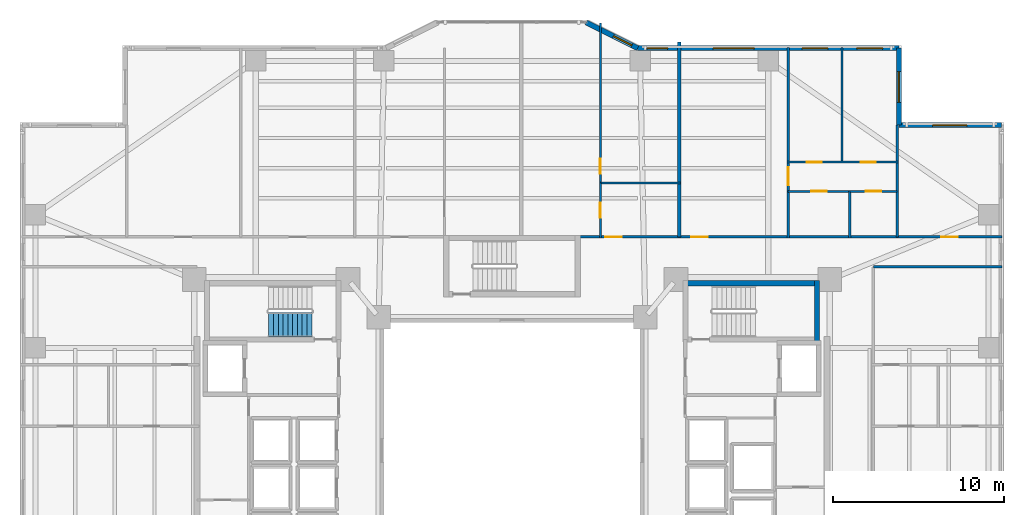
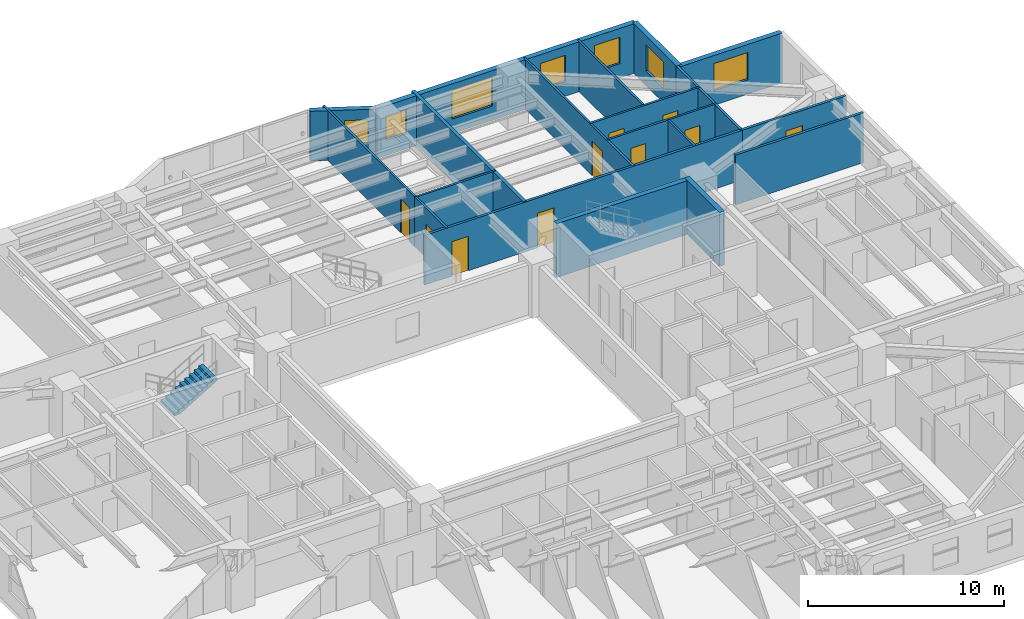
# One storey, part 15 of 21: 20 walls, 10 doors, 7 windows, 1 stair flight, 17 openings, 1 element without a shape of its own.
"""IFC4 building model written with IfcOpenShell, lengths in metres."""

from ifc_helpers import new_model, si_unit, direction, frame, frame_2d, origin, place, context, subcontext, project, spatial, polyline, rectangle, outline, extrude, material, layer, layer_set, type_object, element, fill, aggregate, save


model = new_model("IFC4")

# Units and contexts
model_context = context("Model", 3, precision=1e-05, world=origin(), true_north=direction((0.0, 1.0)))
body_context = subcontext(model_context, "Body", "Model", "MODEL_VIEW")
ifc_project = project(units=[si_unit("LENGTHUNIT", "METRE"), si_unit("AREAUNIT", "SQUARE_METRE"), si_unit("VOLUMEUNIT", "CUBIC_METRE"), si_unit("PLANEANGLEUNIT", "RADIAN"), si_unit("MASSUNIT", "GRAM", prefix="KILO")], contexts=[model_context])

# Site, building, storey
site_placement = place(None, origin())
site = spatial("IfcSite", under=ifc_project, at=site_placement, CompositionType="ELEMENT")
building_placement = place(site_placement, origin())
building = spatial("IfcBuilding", under=site, at=building_placement, Name="Tarnavaz Court Tower", CompositionType="ELEMENT")
storey_placement = place(building_placement, frame((0.0, 0.0, 44.10009765625)))
storey = spatial("IfcBuildingStorey", under=building, at=storey_placement, Name="L11", CompositionType="ELEMENT", Elevation=44.10009765625)

# Walls
ifc_material_1 = material(Name="Concrete C60/75", Category="concrete")
ifc_layer_1 = layer(ifc_material_1, 0.300048828125)
ifc_layer_set_1 = layer_set([ifc_layer_1], Name="Concrete C60/75")
wall_type_1 = type_object("IfcWallType", Name="WL-CORE-300-C60", PredefinedType="SHEAR", material=ifc_layer_set_1)
wall_1_placement = place(storey_placement, frame((10.0, 9.7900390625, 0.0), z_axis=(0.0, 0.0, 1.0), x_axis=(1.0, 0.0, 0.0)))
element("IfcWall", 1, at=wall_1_placement, inside=storey, type_object=wall_type_1, Name="L11 East Stair Core Wall 005", PredefinedType="SHEAR", context=body_context, shape_type="SweptSolid", body=[
    extrude(rectangle(XDim=8.0, YDim=0.300048828125, at=frame_2d((4.0, 0.0))), origin(), (0.0, 0.0, 1.0), 3.349853515625),
])
wall_2_placement = place(storey_placement, frame((17.85009765625, 6.35009765625, 0.0), z_axis=(0.0, 0.0, 1.0), x_axis=(0.0, 1.0, 0.0)))
element("IfcWall", 2, at=wall_2_placement, inside=storey, type_object=wall_type_1, Name="L11 East Stair Core Wall 008", PredefinedType="SHEAR", context=body_context, shape_type="SweptSolid", body=[
    extrude(rectangle(XDim=3.58984375, YDim=0.300048828125, at=frame_2d((1.794921875, 0.0))), origin(), (0.0, 0.0, 1.0), 3.349853515625),
])

# Wall, opening, window
ifc_material_2 = material(Name="Precast Concrete C40/50", Category="concrete")
ifc_layer_2 = layer(ifc_material_2, 0.300048828125)
ifc_layer_set_2 = layer_set([ifc_layer_2], Name="Precast Concrete C40/50")
wall_type_2 = type_object("IfcWallType", Name="WL-EXT-300", PredefinedType="SOLIDWALL", material=ifc_layer_set_2)
wall_3_placement = place(storey_placement, frame((4.35009765625, 25.050048828125, 0.0), z_axis=(0.0, 0.0, 1.0), x_axis=(0.894427191, -0.4472135955, 0.0)))
wall_3 = element("IfcWall", 3, at=wall_3_placement, inside=storey, type_object=wall_type_2, Name="L11 Exterior Terracotta Facade Wall 08", PredefinedType="SOLIDWALL", context=body_context, shape_type="SweptSolid", body=[
    extrude(rectangle(XDim=3.35400390625, YDim=0.300048828125, at=frame_2d((1.677001953125, 0.0))), origin(), (0.0, 0.0, 1.0), 3.099853515625),
])
opening_1_placement = place(wall_3_placement, frame((1.778076171875, 0.0, 0.949951171875)))
opening_1 = element("IfcOpeningElement", 4, at=opening_1_placement, cuts=wall_3, Name="Opening W05", PredefinedType="OPENING", context=body_context, shape_type="SweptSolid", body=[
    extrude(rectangle(XDim=1.199951171875, YDim=1.5, at=frame_2d((0.60009765625, 0.75))), frame((0.0, 0.159912109375, 0.0), z_axis=(0.0, -1.0, 0.0), x_axis=(1.0, 0.0, 0.0)), (0.0, 0.0, 1.0), 0.320068359375),
])
ifc_material_3 = material(Name="Double-Glazed Solar Low-E Glass", Category="glass")
window_type_1 = type_object("IfcWindowType", Name="WN-APT-1200", PartitioningType="SINGLE_PANEL", PredefinedType="WINDOW", material=ifc_material_3)
window_1_placement = place(opening_1_placement, origin())
window_1 = element("IfcWindow", 5, at=window_1_placement, inside=storey, type_object=window_type_1, Name="L11 Flat 01 Kitchen Window", OverallHeight=1.5, OverallWidth=1.199951171875, PartitioningType="SINGLE_PANEL", PredefinedType="WINDOW", context=body_context, shape_type="SweptSolid", body=[
    extrude(rectangle(XDim=1.199951171875, YDim=1.5, at=frame_2d((0.60009765625, 0.75))), frame((0.0, 0.030029296875, 0.0), z_axis=(0.0, -1.0, 0.0), x_axis=(1.0, 0.0, 0.0)), (0.0, 0.0, 1.0), 0.06005859375),
])
fill(opening_1, window_1)

# Wall, openings, windows
wall_4_placement = place(storey_placement, frame((7.35009765625, 23.550048828125, 0.0), z_axis=(0.0, 0.0, 1.0), x_axis=(1.0, 0.0, 0.0)))
wall_4 = element("IfcWall", 6, at=wall_4_placement, inside=storey, type_object=wall_type_2, Name="L11 Exterior Terracotta Facade Wall 09", PredefinedType="SOLIDWALL", context=body_context, shape_type="SweptSolid", body=[
    extrude(rectangle(XDim=15.2998046875, YDim=0.300048828125, at=frame_2d((7.64990234375, 0.0))), origin(), (0.0, 0.0, 1.0), 3.099853515625),
])
opening_2_placement = place(wall_4_placement, frame((0.5537109375, 0.0, 0.949951171875)))
opening_2 = element("IfcOpeningElement", 7, at=opening_2_placement, cuts=wall_4, Name="Opening W05", PredefinedType="OPENING", context=body_context, shape_type="SweptSolid", body=[
    extrude(rectangle(XDim=1.199951171875, YDim=1.5, at=frame_2d((0.60009765625, 0.75))), frame((0.0, 0.159912109375, 0.0), z_axis=(0.0, -1.0, 0.0), x_axis=(1.0, 0.0, 0.0)), (0.0, 0.0, 1.0), 0.320068359375),
])
opening_3_placement = place(wall_4_placement, frame((4.41845703125, 0.0, 0.89990234375)))
opening_3 = element("IfcOpeningElement", 8, at=opening_3_placement, cuts=wall_4, Name="Opening W06", PredefinedType="OPENING", context=body_context, shape_type="SweptSolid", body=[
    extrude(rectangle(XDim=2.39990234375, YDim=1.800048828125, at=frame_2d((1.199951171875, 0.89990234375))), frame((0.0, 0.159912109375, 0.0), z_axis=(0.0, -1.0, 0.0), x_axis=(1.0, 0.0, 0.0)), (0.0, 0.0, 1.0), 0.320068359375),
])
opening_4_placement = place(wall_4_placement, frame((9.6337890625, 0.0, 0.89990234375)))
opening_4 = element("IfcOpeningElement", 9, at=opening_4_placement, cuts=wall_4, Name="Opening W03", PredefinedType="OPENING", context=body_context, shape_type="SweptSolid", body=[
    extrude(rectangle(XDim=1.5, YDim=1.64990234375, at=frame_2d((0.75, 0.824951171875))), frame((0.0, 0.159912109375, 0.0), z_axis=(0.0, -1.0, 0.0), x_axis=(1.0, 0.0, 0.0)), (0.0, 0.0, 1.0), 0.320068359375),
])
opening_5_placement = place(wall_4_placement, frame((12.844482421875, 0.0, 0.89990234375)))
opening_5 = element("IfcOpeningElement", 10, at=opening_5_placement, cuts=wall_4, Name="Opening W03", PredefinedType="OPENING", context=body_context, shape_type="SweptSolid", body=[
    extrude(rectangle(XDim=1.5, YDim=1.64990234375, at=frame_2d((0.75, 0.824951171875))), frame((0.0, 0.159912109375, 0.0), z_axis=(0.0, -1.0, 0.0), x_axis=(1.0, 0.0, 0.0)), (0.0, 0.0, 1.0), 0.320068359375),
])
window_2_placement = place(opening_2_placement, origin())
window_2 = element("IfcWindow", 11, at=window_2_placement, inside=storey, type_object=window_type_1, Name="L11 Flat 01 Kitchen Window", OverallHeight=1.5, OverallWidth=1.199951171875, PartitioningType="SINGLE_PANEL", PredefinedType="WINDOW", context=body_context, shape_type="SweptSolid", body=[
    extrude(rectangle(XDim=1.199951171875, YDim=1.5, at=frame_2d((0.60009765625, 0.75))), frame((0.0, 0.030029296875, 0.0), z_axis=(0.0, -1.0, 0.0), x_axis=(1.0, 0.0, 0.0)), (0.0, 0.0, 1.0), 0.06005859375),
])
fill(opening_2, window_2)
window_type_2 = type_object("IfcWindowType", Name="WN-APT-1500", PartitioningType="DOUBLE_PANEL_VERTICAL", PredefinedType="WINDOW", material=ifc_material_3)
window_3_placement = place(opening_4_placement, origin())
window_3 = element("IfcWindow", 12, at=window_3_placement, inside=storey, type_object=window_type_2, Name="L11 Flat 02 Principal Bedroom Window", OverallHeight=1.64990234375, OverallWidth=1.5, PartitioningType="SINGLE_PANEL", PredefinedType="WINDOW", context=body_context, shape_type="SweptSolid", body=[
    extrude(rectangle(XDim=1.5, YDim=1.64990234375, at=frame_2d((0.75, 0.824951171875))), frame((0.0, 0.030029296875, 0.0), z_axis=(0.0, -1.0, 0.0), x_axis=(1.0, 0.0, 0.0)), (0.0, 0.0, 1.0), 0.06005859375),
])
fill(opening_4, window_3)
window_4_placement = place(opening_5_placement, origin())
window_4 = element("IfcWindow", 13, at=window_4_placement, inside=storey, type_object=window_type_2, Name="L11 Flat 02 Bedroom 2 Window", OverallHeight=1.64990234375, OverallWidth=1.5, PartitioningType="SINGLE_PANEL", PredefinedType="WINDOW", context=body_context, shape_type="SweptSolid", body=[
    extrude(rectangle(XDim=1.5, YDim=1.64990234375, at=frame_2d((0.75, 0.824951171875))), frame((0.0, 0.030029296875, 0.0), z_axis=(0.0, -1.0, 0.0), x_axis=(1.0, 0.0, 0.0)), (0.0, 0.0, 1.0), 0.06005859375),
])
fill(opening_5, window_4)
window_type_3 = type_object("IfcWindowType", Name="WN-APT-2400", PartitioningType="TRIPLE_PANEL_VERTICAL", PredefinedType="WINDOW", material=ifc_material_3)
window_5_placement = place(opening_3_placement, origin())
window_5 = element("IfcWindow", 14, at=window_5_placement, inside=storey, type_object=window_type_3, Name="L11 Flat 02 Living and Dining Room Window", OverallHeight=1.800048828125, OverallWidth=2.39990234375, PartitioningType="SINGLE_PANEL", PredefinedType="WINDOW", context=body_context, shape_type="SweptSolid", body=[
    extrude(rectangle(XDim=2.39990234375, YDim=1.800048828125, at=frame_2d((1.199951171875, 0.89990234375))), frame((0.0, 0.030029296875, 0.0), z_axis=(0.0, -1.0, 0.0), x_axis=(1.0, 0.0, 0.0)), (0.0, 0.0, 1.0), 0.06005859375),
])
fill(opening_3, window_5)

# Wall, opening, window
wall_5_placement = place(storey_placement, frame((22.64990234375, 23.550048828125, 0.0), z_axis=(0.0, 0.0, 1.0), x_axis=(0.0, -1.0, 0.0)))
wall_5 = element("IfcWall", 15, at=wall_5_placement, inside=storey, type_object=wall_type_2, Name="L11 Exterior Terracotta Facade Wall 10", PredefinedType="SOLIDWALL", context=body_context, shape_type="SweptSolid", body=[
    extrude(rectangle(XDim=4.5, YDim=0.300048828125, at=frame_2d((2.25, 0.0))), origin(), (0.0, 0.0, 1.0), 3.099853515625),
])
opening_6_placement = place(wall_5_placement, frame((1.367431640625, 0.0, 0.89990234375)))
opening_6 = element("IfcOpeningElement", 16, at=opening_6_placement, cuts=wall_5, Name="Opening W01", PredefinedType="OPENING", context=body_context, shape_type="SweptSolid", body=[
    extrude(rectangle(XDim=1.800048828125, YDim=1.64990234375, at=frame_2d((0.89990234375, 0.824951171875))), frame((0.0, 0.159912109375, 0.0), z_axis=(0.0, -1.0, 0.0), x_axis=(1.0, 0.0, 0.0)), (0.0, 0.0, 1.0), 0.320068359375),
])
window_type_4 = type_object("IfcWindowType", Name="WN-APT-1800", PartitioningType="DOUBLE_PANEL_VERTICAL", PredefinedType="WINDOW", material=ifc_material_3)
window_6_placement = place(opening_6_placement, origin())
window_6 = element("IfcWindow", 17, at=window_6_placement, inside=storey, type_object=window_type_4, Name="L11 Flat 02 Bedroom 2 Window", OverallHeight=1.64990234375, OverallWidth=1.800048828125, PartitioningType="SINGLE_PANEL", PredefinedType="WINDOW", context=body_context, shape_type="SweptSolid", body=[
    extrude(rectangle(XDim=1.800048828125, YDim=1.64990234375, at=frame_2d((0.89990234375, 0.824951171875))), frame((0.0, 0.030029296875, 0.0), z_axis=(0.0, -1.0, 0.0), x_axis=(1.0, 0.0, 0.0)), (0.0, 0.0, 1.0), 0.06005859375),
])
fill(opening_6, window_6)

wall_6_placement = place(storey_placement, frame((22.64990234375, 19.050048828125, 0.0), z_axis=(0.0, 0.0, 1.0), x_axis=(1.0, 0.0, 0.0)))
wall_6 = element("IfcWall", 18, at=wall_6_placement, inside=storey, type_object=wall_type_2, Name="L11 Exterior Terracotta Facade Wall 11", PredefinedType="SOLIDWALL", context=body_context, shape_type="SweptSolid", body=[
    extrude(rectangle(XDim=6.0, YDim=0.300048828125, at=frame_2d((3.0, 0.0))), origin(), (0.0, 0.0, 1.0), 3.099853515625),
])
opening_7_placement = place(wall_6_placement, frame((1.97509765625, 0.0, 0.89990234375)))
opening_7 = element("IfcOpeningElement", 19, at=opening_7_placement, cuts=wall_6, Name="Opening W08", PredefinedType="OPENING", context=body_context, shape_type="SweptSolid", body=[
    extrude(rectangle(XDim=2.0, YDim=1.699951171875, at=frame_2d((1.0, 0.85009765625))), frame((0.0, 0.159912109375, 0.0), z_axis=(0.0, -1.0, 0.0), x_axis=(1.0, 0.0, 0.0)), (0.0, 0.0, 1.0), 0.320068359375),
])
window_type_5 = type_object("IfcWindowType", Name="WN-APT-2000", PartitioningType="DOUBLE_PANEL_VERTICAL", PredefinedType="WINDOW", material=ifc_material_3)
window_7_placement = place(opening_7_placement, origin())
window_7 = element("IfcWindow", 20, at=window_7_placement, inside=storey, type_object=window_type_5, Name="L11 North-East Corner Sunroom Study Window", OverallHeight=1.699951171875, OverallWidth=2.0, PartitioningType="SINGLE_PANEL", PredefinedType="WINDOW", context=body_context, shape_type="SweptSolid", body=[
    extrude(rectangle(XDim=2.0, YDim=1.699951171875, at=frame_2d((1.0, 0.85009765625))), frame((0.0, 0.030029296875, 0.0), z_axis=(0.0, -1.0, 0.0), x_axis=(1.0, 0.0, 0.0)), (0.0, 0.0, 1.0), 0.06005859375),
])
fill(opening_7, window_7)

# Wall, openings, doors
ifc_material_4 = material(Name="Gypsum Fire-Board on Acoustic Metal Stud", Category="masonry")
ifc_layer_3 = layer(ifc_material_4, 0.14990234375)
ifc_layer_set_3 = layer_set([ifc_layer_3], Name="Gypsum Fire-Board on Acoustic Metal Stud")
wall_type_3 = type_object("IfcWallType", Name="WL-FIRE-150", PredefinedType="PARTITIONING", material=ifc_layer_set_3)
wall_7_placement = place(storey_placement, frame((3.85009765625, 12.5, 0.0), z_axis=(0.0, 0.0, 1.0), x_axis=(1.0, 0.0, 0.0)))
wall_7 = element("IfcWall", 21, at=wall_7_placement, inside=storey, type_object=wall_type_3, Name="L11 NE Wing Corridor Wall 082", PredefinedType="PARTITIONING", context=body_context, shape_type="SweptSolid", body=[
    extrude(rectangle(XDim=18.699951171875, YDim=0.14990234375, at=frame_2d((9.35009765625, 0.0))), origin(), (0.0, 0.0, 1.0), 3.099853515625),
])
opening_8_placement = place(wall_7_placement, frame((1.60009765625, 0.0, 0.0)))
opening_8 = element("IfcOpeningElement", 22, at=opening_8_placement, cuts=wall_7, Name="Opening D06", PredefinedType="OPENING", context=body_context, shape_type="SweptSolid", body=[
    extrude(rectangle(XDim=0.9599609375, YDim=2.14990234375, at=frame_2d((0.47998046875, 1.074951171875))), frame((0.0, 0.0849609375, 0.0), z_axis=(0.0, -1.0, 0.0), x_axis=(1.0, 0.0, 0.0)), (0.0, 0.0, 1.0), 0.169921875),
])
opening_9_placement = place(wall_7_placement, frame((6.639892578125, 0.0, 0.0)))
opening_9 = element("IfcOpeningElement", 23, at=opening_9_placement, cuts=wall_7, Name="Opening D06", PredefinedType="OPENING", context=body_context, shape_type="SweptSolid", body=[
    extrude(rectangle(XDim=0.9599609375, YDim=2.14990234375, at=frame_2d((0.47998046875, 1.074951171875))), frame((0.0, 0.0849609375, 0.0), z_axis=(0.0, -1.0, 0.0), x_axis=(1.0, 0.0, 0.0)), (0.0, 0.0, 1.0), 0.169921875),
])
ifc_material_5 = material(Name="Fire-Rated Hardwood Timber Core", Category="wood")
door_type_1 = type_object("IfcDoorType", Name="DR-FD60-950", OperationType="NOTDEFINED", PredefinedType="DOOR", material=ifc_material_5)
door_1_placement = place(opening_8_placement, origin())
door_1 = element("IfcDoor", 24, at=door_1_placement, inside=storey, type_object=door_type_1, Name="L11 Flat 01 Entrance Door", OperationType="SINGLE_SWING_LEFT", OverallHeight=2.14990234375, OverallWidth=0.9599609375, PredefinedType="DOOR", context=body_context, shape_type="SweptSolid", body=[
    extrude(rectangle(XDim=0.9599609375, YDim=2.14990234375, at=frame_2d((0.47998046875, 1.074951171875))), frame((0.0, 0.02490234375, 0.0), z_axis=(0.0, -1.0, 0.0), x_axis=(1.0, 0.0, 0.0)), (0.0, 0.0, 1.0), 0.050048828125),
])
fill(opening_8, door_1)
door_2_placement = place(opening_9_placement, origin())
door_2 = element("IfcDoor", 25, at=door_2_placement, inside=storey, type_object=door_type_1, Name="L11 Flat 02 Entrance Door", OperationType="SINGLE_SWING_RIGHT", OverallHeight=2.14990234375, OverallWidth=0.9599609375, PredefinedType="DOOR", context=body_context, shape_type="SweptSolid", body=[
    extrude(rectangle(XDim=0.9599609375, YDim=2.14990234375, at=frame_2d((0.47998046875, 1.074951171875))), frame((0.0, 0.02490234375, 0.0), z_axis=(0.0, -1.0, 0.0), x_axis=(1.0, 0.0, 0.0)), (0.0, 0.0, 1.0), 0.050048828125),
])
fill(opening_9, door_2)

# Wall
wall_8_placement = place(storey_placement, frame((21.14990234375, 10.75, 0.0), z_axis=(0.0, 0.0, 1.0), x_axis=(1.0, 0.0, 0.0)))
element("IfcWall", 26, at=wall_8_placement, inside=storey, type_object=wall_type_3, Name="L11 Interior Partition 131", PredefinedType="PARTITIONING", context=body_context, shape_type="SweptSolid", body=[
    extrude(rectangle(XDim=7.530029296875, YDim=0.14990234375, at=frame_2d((3.76513671875, 0.0))), origin(), (0.0, 0.0, 1.0), 3.099853515625),
])

# Wall, opening, door
wall_9_placement = place(storey_placement, frame((22.550048828125, 12.5, 0.0), z_axis=(0.0, 0.0, 1.0), x_axis=(1.0, 0.0, 0.0)))
wall_9 = element("IfcWall", 27, at=wall_9_placement, inside=storey, type_object=wall_type_3, Name="L11 Interior Partition 137", PredefinedType="PARTITIONING", context=body_context, shape_type="SweptSolid", body=[
    extrude(rectangle(XDim=6.1298828125, YDim=0.14990234375, at=frame_2d((3.06494140625, 0.0))), origin(), (0.0, 0.0, 1.0), 3.099853515625),
])
opening_10_placement = place(wall_9_placement, frame((2.590087890625, 0.0, 0.0)))
opening_10 = element("IfcOpeningElement", 28, at=opening_10_placement, cuts=wall_9, Name="Opening D13", PredefinedType="OPENING", context=body_context, shape_type="SweptSolid", body=[
    extrude(rectangle(XDim=0.949951171875, YDim=2.14990234375, at=frame_2d((0.47509765625, 1.074951171875))), frame((0.0, 0.0849609375, 0.0), z_axis=(0.0, -1.0, 0.0), x_axis=(1.0, 0.0, 0.0)), (0.0, 0.0, 1.0), 0.169921875),
])
ifc_material_6 = material(Name="Engineered Oak Timber", Category="wood")
door_type_2 = type_object("IfcDoorType", Name="DR-INT-950", OperationType="NOTDEFINED", PredefinedType="DOOR", material=ifc_material_6)
door_3_placement = place(opening_10_placement, origin())
door_3 = element("IfcDoor", 29, at=door_3_placement, inside=storey, type_object=door_type_2, Name="L11 NE Sunroom Door", OperationType="SINGLE_SWING_LEFT", OverallHeight=2.14990234375, OverallWidth=0.949951171875, PredefinedType="DOOR", context=body_context, shape_type="SweptSolid", body=[
    extrude(rectangle(XDim=0.949951171875, YDim=2.14990234375, at=frame_2d((0.47509765625, 1.074951171875))), frame((0.0, 0.02490234375, 0.0), z_axis=(0.0, -1.0, 0.0), x_axis=(1.0, 0.0, 0.0)), (0.0, 0.0, 1.0), 0.050048828125),
])
fill(opening_10, door_3)

# Wall
ifc_material_7 = material(Name="Autoclaved Aerated Concrete Blockwork", Category="masonry")
ifc_layer_4 = layer(ifc_material_7, 0.199951171875)
ifc_layer_set_4 = layer_set([ifc_layer_4], Name="Autoclaved Aerated Concrete Blockwork")
wall_type_4 = type_object("IfcWallType", Name="WL-FIRE-200", PredefinedType="SOLIDWALL", material=ifc_layer_set_4)
wall_10_placement = place(storey_placement, frame((9.7900390625, 12.5, 0.0), z_axis=(0.0, 0.0, 1.0), x_axis=(0.0, 1.0, 0.0)))
element("IfcWall", 30, at=wall_10_placement, inside=storey, type_object=wall_type_4, Name="L11 Party Wall 091", PredefinedType="SOLIDWALL", context=body_context, shape_type="SweptSolid", body=[
    extrude(rectangle(XDim=11.39794921875, YDim=0.199951171875, at=frame_2d((5.698974609375, 0.0))), origin(), (0.0, 0.0, 1.0), 3.099853515625),
])

# Wall, opening, door
ifc_material_8 = material(Name="Moisture-Resistant Gypsum Board Partition", Category="masonry")
ifc_layer_5 = layer(ifc_material_8, 0.1201171875)
ifc_layer_set_5 = layer_set([ifc_layer_5], Name="Moisture-Resistant Gypsum Board Partition")
wall_type_5 = type_object("IfcWallType", Name="WL-PART-120", PredefinedType="PARTITIONING", material=ifc_layer_set_5)
wall_11_placement = place(storey_placement, frame((5.169921875, 12.43994140625, 0.0), z_axis=(0.0, 0.0, 1.0), x_axis=(0.0, 1.0, 0.0)))
wall_11 = element("IfcWall", 31, at=wall_11_placement, inside=storey, type_object=wall_type_5, Name="L11 Interior Partition 092", PredefinedType="PARTITIONING", context=body_context, shape_type="SweptSolid", body=[
    extrude(rectangle(XDim=3.2099609375, YDim=0.1201171875, at=frame_2d((1.60498046875, 0.0))), origin(), (0.0, 0.0, 1.0), 3.099853515625),
])
opening_11_placement = place(wall_11_placement, frame((1.195068359375, 0.0, 0.0)))
opening_11 = element("IfcOpeningElement", 32, at=opening_11_placement, cuts=wall_11, Name="Opening D14", PredefinedType="OPENING", context=body_context, shape_type="SweptSolid", body=[
    extrude(rectangle(XDim=0.8798828125, YDim=2.10009765625, at=frame_2d((0.43994140625, 1.050048828125))), frame((0.0, 0.070068359375, 0.0), z_axis=(0.0, -1.0, 0.0), x_axis=(1.0, 0.0, 0.0)), (0.0, 0.0, 1.0), 0.14013671875),
])
door_type_3 = type_object("IfcDoorType", Name="DR-INT-900", OperationType="NOTDEFINED", PredefinedType="DOOR", material=ifc_material_6)
door_4_placement = place(opening_11_placement, origin())
door_4 = element("IfcDoor", 33, at=door_4_placement, inside=storey, type_object=door_type_3, Name="L11 Flat 01 Bathroom Door", OperationType="SINGLE_SWING_RIGHT", OverallHeight=2.10009765625, OverallWidth=0.8798828125, PredefinedType="DOOR", context=body_context, shape_type="SweptSolid", body=[
    extrude(rectangle(XDim=0.8798828125, YDim=2.10009765625, at=frame_2d((0.43994140625, 1.050048828125))), frame((0.0, 0.02490234375, 0.0), z_axis=(0.0, -1.0, 0.0), x_axis=(1.0, 0.0, 0.0)), (0.0, 0.0, 1.0), 0.050048828125),
])
fill(opening_11, door_4)

wall_12_placement = place(storey_placement, frame((5.169921875, 15.64990234375, 0.0), z_axis=(0.0, 0.0, 1.0), x_axis=(0.0, 1.0, 0.0)))
wall_12 = element("IfcWall", 34, at=wall_12_placement, inside=storey, type_object=wall_type_5, Name="L11 Interior Partition 093", PredefinedType="PARTITIONING", context=body_context, shape_type="SweptSolid", body=[
    extrude(rectangle(XDim=9.38818359375, YDim=0.1201171875, at=frame_2d((4.694091796875, 0.0))), origin(), (0.0, 0.0, 1.0), 3.099853515625),
])
opening_12_placement = place(wall_12_placement, frame((0.550048828125, 0.0, 0.0)))
opening_12 = element("IfcOpeningElement", 35, at=opening_12_placement, cuts=wall_12, Name="Opening D14", PredefinedType="OPENING", context=body_context, shape_type="SweptSolid", body=[
    extrude(rectangle(XDim=0.8798828125, YDim=2.10009765625, at=frame_2d((0.43994140625, 1.050048828125))), frame((0.0, 0.070068359375, 0.0), z_axis=(0.0, -1.0, 0.0), x_axis=(1.0, 0.0, 0.0)), (0.0, 0.0, 1.0), 0.14013671875),
])
door_5_placement = place(opening_12_placement, origin())
door_5 = element("IfcDoor", 36, at=door_5_placement, inside=storey, type_object=door_type_3, Name="L11 Flat 01 Kitchen Door", OperationType="SINGLE_SWING_LEFT", OverallHeight=2.10009765625, OverallWidth=0.8798828125, PredefinedType="DOOR", context=body_context, shape_type="SweptSolid", body=[
    extrude(rectangle(XDim=0.8798828125, YDim=2.10009765625, at=frame_2d((0.43994140625, 1.050048828125))), frame((0.0, 0.02490234375, 0.0), z_axis=(0.0, -1.0, 0.0), x_axis=(1.0, 0.0, 0.0)), (0.0, 0.0, 1.0), 0.050048828125),
])
fill(opening_12, door_5)

# Wall
wall_13_placement = place(storey_placement, frame((5.110107421875, 15.64990234375, 0.0), z_axis=(0.0, 0.0, 1.0), x_axis=(1.0, 0.0, 0.0)))
element("IfcWall", 37, at=wall_13_placement, inside=storey, type_object=wall_type_5, Name="L11 Interior Partition 094", PredefinedType="PARTITIONING", context=body_context, shape_type="SweptSolid", body=[
    extrude(rectangle(XDim=4.739990234375, YDim=0.1201171875, at=frame_2d((2.3701171875, 0.0))), origin(), (0.0, 0.0, 1.0), 3.099853515625),
])

# Wall, opening, door
wall_14_placement = place(storey_placement, frame((16.169921875, 12.43994140625, 0.0), z_axis=(0.0, 0.0, 1.0), x_axis=(0.0, 1.0, 0.0)))
wall_14 = element("IfcWall", 38, at=wall_14_placement, inside=storey, type_object=wall_type_5, Name="L11 Interior Partition 095", PredefinedType="PARTITIONING", context=body_context, shape_type="SweptSolid", body=[
    extrude(rectangle(XDim=11.16015625, YDim=0.1201171875, at=frame_2d((5.580078125, 0.0))), origin(), (0.0, 0.0, 1.0), 3.099853515625),
])
opening_13_placement = place(wall_14_placement, frame((3.074951171875, 0.0, 0.0)))
opening_13 = element("IfcOpeningElement", 39, at=opening_13_placement, cuts=wall_14, Name="Opening D12", PredefinedType="OPENING", context=body_context, shape_type="SweptSolid", body=[
    extrude(rectangle(XDim=1.080078125, YDim=2.14990234375, at=frame_2d((0.5400390625, 1.074951171875))), frame((0.0, 0.070068359375, 0.0), z_axis=(0.0, -1.0, 0.0), x_axis=(1.0, 0.0, 0.0)), (0.0, 0.0, 1.0), 0.14013671875),
])
door_type_4 = type_object("IfcDoorType", Name="DR-INT-1100", OperationType="NOTDEFINED", PredefinedType="DOOR", material=ifc_material_6)
door_6_placement = place(opening_13_placement, origin())
door_6 = element("IfcDoor", 40, at=door_6_placement, inside=storey, type_object=door_type_4, Name="L11 Flat 02 Foyer Door", OperationType="SINGLE_SWING_LEFT", OverallHeight=2.14990234375, OverallWidth=1.080078125, PredefinedType="DOOR", context=body_context, shape_type="SweptSolid", body=[
    extrude(rectangle(XDim=1.080078125, YDim=2.14990234375, at=frame_2d((0.5400390625, 1.074951171875))), frame((0.0, 0.02490234375, 0.0), z_axis=(0.0, -1.0, 0.0), x_axis=(1.0, 0.0, 0.0)), (0.0, 0.0, 1.0), 0.050048828125),
])
fill(opening_13, door_6)

wall_15_placement = place(storey_placement, frame((16.169921875, 15.169921875, 0.0), z_axis=(0.0, 0.0, 1.0), x_axis=(1.0, 0.0, 0.0)))
wall_15 = element("IfcWall", 41, at=wall_15_placement, inside=storey, type_object=wall_type_5, Name="L11 Interior Partition 096", PredefinedType="PARTITIONING", context=body_context, shape_type="SweptSolid", body=[
    extrude(rectangle(XDim=3.60205078125, YDim=0.1201171875, at=frame_2d((1.801025390625, 0.0))), origin(), (0.0, 0.0, 1.0), 3.099853515625),
])
opening_14_placement = place(wall_15_placement, frame((1.361083984375, 0.0, 0.0)))
opening_14 = element("IfcOpeningElement", 42, at=opening_14_placement, cuts=wall_15, Name="Opening D14", PredefinedType="OPENING", context=body_context, shape_type="SweptSolid", body=[
    extrude(rectangle(XDim=0.8798828125, YDim=2.10009765625, at=frame_2d((0.43994140625, 1.050048828125))), frame((0.0, 0.070068359375, 0.0), z_axis=(0.0, -1.0, 0.0), x_axis=(1.0, 0.0, 0.0)), (0.0, 0.0, 1.0), 0.14013671875),
])
door_7_placement = place(opening_14_placement, origin())
door_7 = element("IfcDoor", 43, at=door_7_placement, inside=storey, type_object=door_type_3, Name="L11 Flat 02 Kitchen Door", OperationType="SINGLE_SWING_RIGHT", OverallHeight=2.10009765625, OverallWidth=0.8798828125, PredefinedType="DOOR", context=body_context, shape_type="SweptSolid", body=[
    extrude(rectangle(XDim=0.8798828125, YDim=2.10009765625, at=frame_2d((0.43994140625, 1.050048828125))), frame((0.0, 0.02490234375, 0.0), z_axis=(0.0, -1.0, 0.0), x_axis=(1.0, 0.0, 0.0)), (0.0, 0.0, 1.0), 0.050048828125),
])
fill(opening_14, door_7)

wall_16_placement = place(storey_placement, frame((19.77197265625, 15.169921875, 0.0), z_axis=(0.0, 0.0, 1.0), x_axis=(1.0, 0.0, 0.0)))
wall_16 = element("IfcWall", 44, at=wall_16_placement, inside=storey, type_object=wall_type_5, Name="L11 Interior Partition 097", PredefinedType="PARTITIONING", context=body_context, shape_type="SweptSolid", body=[
    extrude(rectangle(XDim=2.778076171875, YDim=0.1201171875, at=frame_2d((1.38916015625, 0.0))), origin(), (0.0, 0.0, 1.0), 3.099853515625),
])
opening_15_placement = place(wall_16_placement, frame((0.948974609375, 0.0, 0.0)))
opening_15 = element("IfcOpeningElement", 45, at=opening_15_placement, cuts=wall_16, Name="Opening D14", PredefinedType="OPENING", context=body_context, shape_type="SweptSolid", body=[
    extrude(rectangle(XDim=0.8798828125, YDim=2.10009765625, at=frame_2d((0.43994140625, 1.050048828125))), frame((0.0, 0.070068359375, 0.0), z_axis=(0.0, -1.0, 0.0), x_axis=(1.0, 0.0, 0.0)), (0.0, 0.0, 1.0), 0.14013671875),
])
door_8_placement = place(opening_15_placement, origin())
door_8 = element("IfcDoor", 46, at=door_8_placement, inside=storey, type_object=door_type_3, Name="L11 Flat 02 Bathroom Door", OperationType="SINGLE_SWING_LEFT", OverallHeight=2.10009765625, OverallWidth=0.8798828125, PredefinedType="DOOR", context=body_context, shape_type="SweptSolid", body=[
    extrude(rectangle(XDim=0.8798828125, YDim=2.10009765625, at=frame_2d((0.43994140625, 1.050048828125))), frame((0.0, 0.02490234375, 0.0), z_axis=(0.0, -1.0, 0.0), x_axis=(1.0, 0.0, 0.0)), (0.0, 0.0, 1.0), 0.050048828125),
])
fill(opening_15, door_8)

# Wall, openings, doors
wall_17_placement = place(storey_placement, frame((16.110107421875, 16.8798828125, 0.0), z_axis=(0.0, 0.0, 1.0), x_axis=(1.0, 0.0, 0.0)))
wall_17 = element("IfcWall", 47, at=wall_17_placement, inside=storey, type_object=wall_type_5, Name="L11 Interior Partition 098", PredefinedType="PARTITIONING", context=body_context, shape_type="SweptSolid", body=[
    extrude(rectangle(XDim=6.5, YDim=0.1201171875, at=frame_2d((3.25, 0.0))), origin(), (0.0, 0.0, 1.0), 3.099853515625),
])
opening_16_placement = place(wall_17_placement, frame((1.139892578125, 0.0, 0.0)))
opening_16 = element("IfcOpeningElement", 48, at=opening_16_placement, cuts=wall_17, Name="Opening D14", PredefinedType="OPENING", context=body_context, shape_type="SweptSolid", body=[
    extrude(rectangle(XDim=0.8798828125, YDim=2.10009765625, at=frame_2d((0.43994140625, 1.050048828125))), frame((0.0, 0.070068359375, 0.0), z_axis=(0.0, -1.0, 0.0), x_axis=(1.0, 0.0, 0.0)), (0.0, 0.0, 1.0), 0.14013671875),
])
opening_17_placement = place(wall_17_placement, frame((4.300048828125, 0.0, 0.0)))
opening_17 = element("IfcOpeningElement", 49, at=opening_17_placement, cuts=wall_17, Name="Opening D14", PredefinedType="OPENING", context=body_context, shape_type="SweptSolid", body=[
    extrude(rectangle(XDim=0.8798828125, YDim=2.10009765625, at=frame_2d((0.43994140625, 1.050048828125))), frame((0.0, 0.070068359375, 0.0), z_axis=(0.0, -1.0, 0.0), x_axis=(1.0, 0.0, 0.0)), (0.0, 0.0, 1.0), 0.14013671875),
])
door_9_placement = place(opening_16_placement, origin())
door_9 = element("IfcDoor", 50, at=door_9_placement, inside=storey, type_object=door_type_3, Name="L11 Flat 02 Bedroom 1 Door", OperationType="SINGLE_SWING_RIGHT", OverallHeight=2.10009765625, OverallWidth=0.8798828125, PredefinedType="DOOR", context=body_context, shape_type="SweptSolid", body=[
    extrude(rectangle(XDim=0.8798828125, YDim=2.10009765625, at=frame_2d((0.43994140625, 1.050048828125))), frame((0.0, 0.02490234375, 0.0), z_axis=(0.0, -1.0, 0.0), x_axis=(1.0, 0.0, 0.0)), (0.0, 0.0, 1.0), 0.050048828125),
])
fill(opening_16, door_9)
door_10_placement = place(opening_17_placement, origin())
door_10 = element("IfcDoor", 51, at=door_10_placement, inside=storey, type_object=door_type_3, Name="L11 Flat 02 Bedroom 2 Door", OperationType="SINGLE_SWING_LEFT", OverallHeight=2.10009765625, OverallWidth=0.8798828125, PredefinedType="DOOR", context=body_context, shape_type="SweptSolid", body=[
    extrude(rectangle(XDim=0.8798828125, YDim=2.10009765625, at=frame_2d((0.43994140625, 1.050048828125))), frame((0.0, 0.02490234375, 0.0), z_axis=(0.0, -1.0, 0.0), x_axis=(1.0, 0.0, 0.0)), (0.0, 0.0, 1.0), 0.050048828125),
])
fill(opening_17, door_10)

# Walls
wall_18_placement = place(storey_placement, frame((19.77197265625, 12.43994140625, 0.0), z_axis=(0.0, 0.0, 1.0), x_axis=(0.0, 1.0, 0.0)))
element("IfcWall", 52, at=wall_18_placement, inside=storey, type_object=wall_type_5, Name="L11 Interior Partition 099", PredefinedType="PARTITIONING", context=body_context, shape_type="SweptSolid", body=[
    extrude(rectangle(XDim=2.7900390625, YDim=0.1201171875, at=frame_2d((1.39501953125, 0.0))), origin(), (0.0, 0.0, 1.0), 3.099853515625),
])
wall_19_placement = place(storey_placement, frame((19.330078125, 16.820068359375, 0.0), z_axis=(0.0, 0.0, 1.0), x_axis=(0.0, 1.0, 0.0)))
element("IfcWall", 53, at=wall_19_placement, inside=storey, type_object=wall_type_5, Name="L11 Interior Partition 100", PredefinedType="PARTITIONING", context=body_context, shape_type="SweptSolid", body=[
    extrude(rectangle(XDim=6.780029296875, YDim=0.1201171875, at=frame_2d((3.39013671875, 0.0))), origin(), (0.0, 0.0, 1.0), 3.099853515625),
])
ifc_material_9 = material(Name="Gypsum Plasterboard Acoustic Partition", Category="masonry")
ifc_layer_6 = layer(ifc_material_9, 0.139892578125)
ifc_layer_set_6 = layer_set([ifc_layer_6], Name="Gypsum Plasterboard Acoustic Partition")
wall_type_6 = type_object("IfcWallType", Name="WL-PART-150", PredefinedType="PARTITIONING", material=ifc_layer_set_6)
wall_20_placement = place(storey_placement, frame((22.550048828125, 12.5, 0.0), z_axis=(0.0, 0.0, 1.0), x_axis=(0.0, 1.0, 0.0)))
element("IfcWall", 54, at=wall_20_placement, inside=storey, type_object=wall_type_6, Name="L11 Interior Partition 135", PredefinedType="PARTITIONING", context=body_context, shape_type="SweptSolid", body=[
    extrude(rectangle(XDim=6.550048828125, YDim=0.139892578125, at=frame_2d((3.27490234375, 0.0))), origin(), (0.0, 0.0, 1.0), 3.099853515625),
])

# Stair, stair flight
ifc_material_10 = material(Name="Concrete C40/50", Category="concrete")
stair_type = type_object("IfcStairType", Name="ST-TWR-20R", PredefinedType="HALF_TURN_STAIR", material=ifc_material_10)
stair_placement = place(storey_placement, origin())
stair = element("IfcStair", 55, at=stair_placement, inside=storey, type_object=stair_type, Name="L11 West Core Pressurized Exit Stair ST-W1", PredefinedType="HALF_TURN_STAIR")
stair_flight_type = type_object("IfcStairFlightType", Name="SFL-RC-20R", PredefinedType="STRAIGHT", material=ifc_material_10)
stair_flight_placement = place(storey_placement, frame((-14.239990234375, 7.360107421875, 1.6748046875), z_axis=(0.0, 0.0, 1.0), x_axis=(1.0, 0.0, 0.0)))
stair_flight = element("IfcStairFlight", 56, at=stair_flight_placement, type_object=stair_flight_type, Name="ST-W1 flight 2", NumberOfRisers=10, NumberOfTreads=9, PredefinedType="STRAIGHT", RiserHeight=0.1675, TreadLength=0.28, context=body_context, shape_type="SweptSolid", body=[
    extrude(outline(polyline([(0.0, 0.0), (0.0, 0.16748046875), (0.280029296875, 0.16748046875), (0.280029296875, 0.3349609375), (0.56005859375, 0.3349609375), (0.56005859375, 0.50244140625), (0.840087890625, 0.50244140625), (0.840087890625, 0.669921875), (1.1201171875, 0.669921875), (1.1201171875, 0.83740234375), (1.39990234375, 0.83740234375), (1.39990234375, 1.0048828125), (1.679931640625, 1.0048828125), (1.679931640625, 1.172607421875), (1.9599609375, 1.172607421875), (1.9599609375, 1.340087890625), (2.239990234375, 1.340087890625), (2.239990234375, 1.507568359375), (2.52001953125, 1.507568359375), (2.52001953125, 1.675048828125), (2.52001953125, 1.332763671875), (0.2919921875, 0.0), (0.0, 0.0)])), frame((0.0, 0.7099609375, 0.0), z_axis=(0.0, -1.0, 0.0), x_axis=(1.0, 0.0, 0.0)), (0.0, 0.0, 1.0), 1.419921875),
])
aggregate(stair, [stair_flight])

save(model, "model.ifc")
